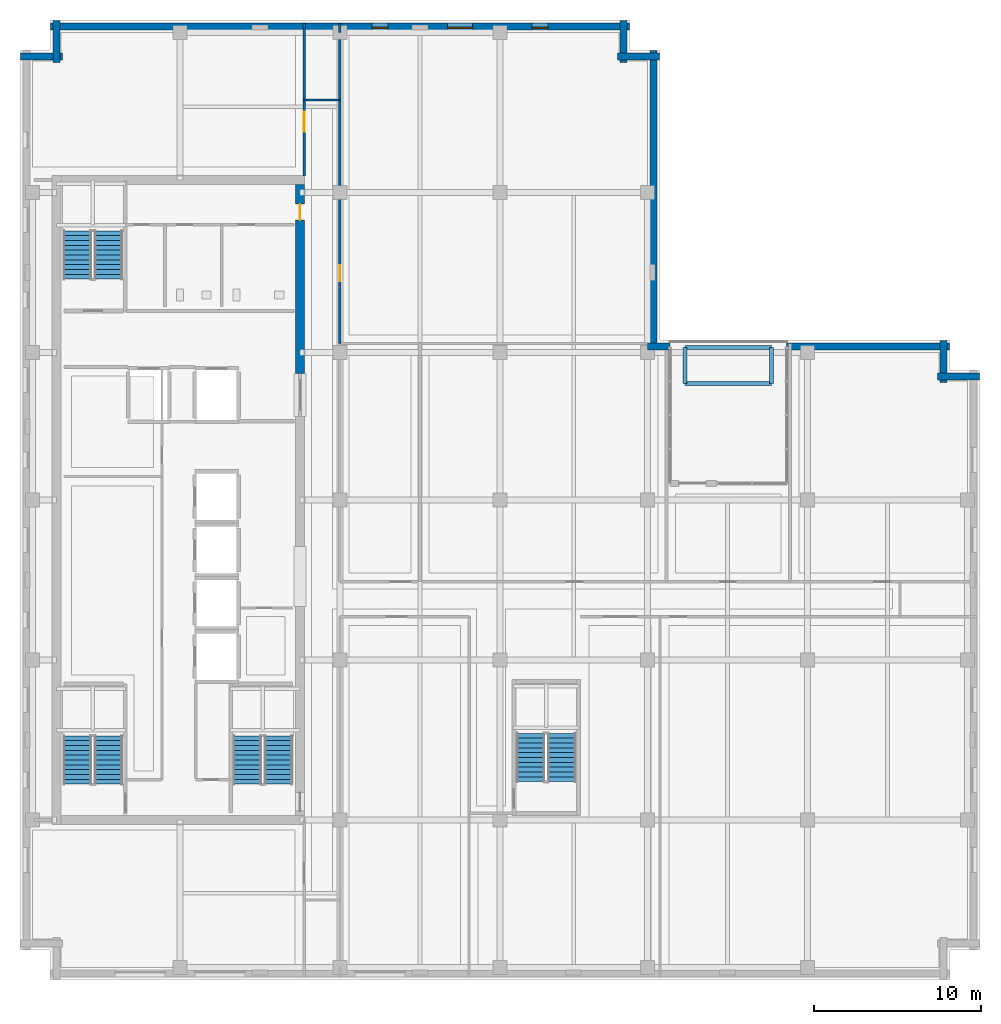
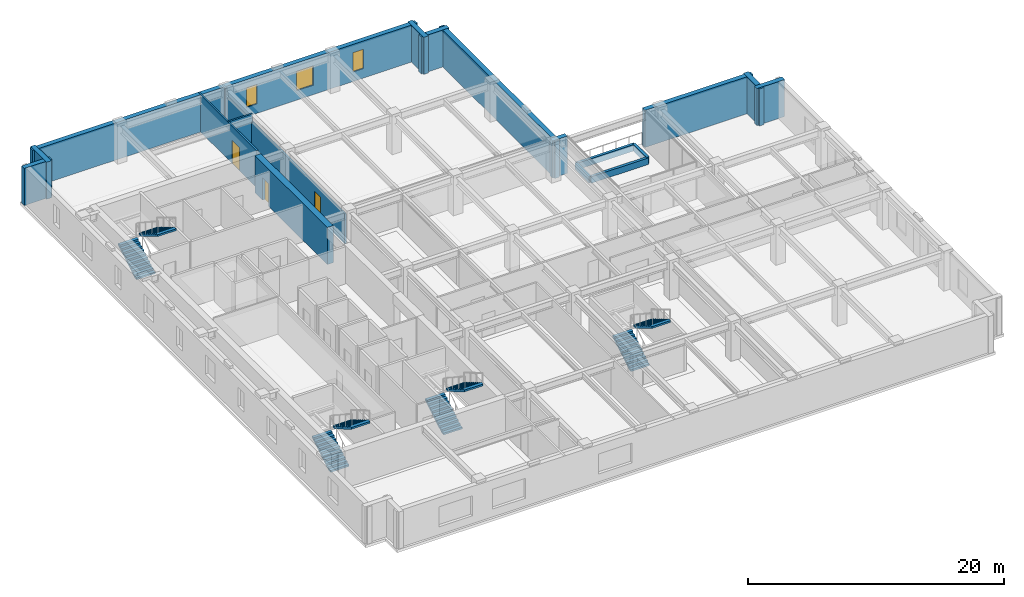
# One storey, part 6 of 14: 19 walls, 8 stair flights, 3 doors, 3 windows, 6 openings, 4 elements without a shape of their own.
"""IFC4 building model written with IfcOpenShell, lengths in metres."""

from ifc_helpers import new_model, si_unit, direction, frame, frame_2d, origin, place, context, subcontext, project, spatial, polyline, rectangle, outline, extrude, material, layer, layer_set, type_object, element, fill, aggregate, save


model = new_model("IFC4")

# Units and contexts
model_context = context("Model", 3, precision=1e-05, world=origin(), true_north=direction((0.0, 1.0)))
body_context = subcontext(model_context, "Body", "Model", "MODEL_VIEW")
ifc_project = project(units=[si_unit("LENGTHUNIT", "METRE"), si_unit("AREAUNIT", "SQUARE_METRE"), si_unit("VOLUMEUNIT", "CUBIC_METRE"), si_unit("PLANEANGLEUNIT", "RADIAN"), si_unit("MASSUNIT", "GRAM", prefix="KILO")], contexts=[model_context])

# Site, building, storey
site_placement = place(None, origin())
site = spatial("IfcSite", under=ifc_project, at=site_placement, CompositionType="ELEMENT")
building_placement = place(site_placement, origin())
building = spatial("IfcBuilding", under=site, at=building_placement, Name="Norrvale University Quadrangle", CompositionType="ELEMENT")
storey_placement = place(building_placement, frame((0.0, 0.0, 221.800048828125)))
storey = spatial("IfcBuildingStorey", under=building, at=storey_placement, Name="L56", CompositionType="ELEMENT", Elevation=221.800048828125)

# Walls
ifc_material_1 = material(Name="Buff Norman Clay Brick Masonry", Category="masonry")
ifc_layer_1 = layer(ifc_material_1, 0.419921875, Name="Buff Norman Clay Brick Masonry")
ifc_layer_set_1 = layer_set([ifc_layer_1], Name="Buff Norman Clay Brick Masonry")
wall_type_1 = type_object("IfcWallType", Name="Wall Buff Brick 420", PredefinedType="SOLIDWALL", material=ifc_layer_set_1)
for number, where, z_axis, x_axis, name in (
    (1, (57.56005859375, 36.2099609375, 0.0), (0.0, 0.0, 1.0), (-1.0, 0.0, 0.0), "Exterior Brick Facade Wall L56-05.1"),
    (2, (55.409912109375, 35.860107421875, 0.0), (0.0, 0.0, 1.0), (0.0, 1.0, 0.0), "Exterior Brick Facade Wall L56-06.1"),
):
    element("IfcWall", number, at=place(storey_placement, frame(where, z_axis=z_axis, x_axis=x_axis)), inside=storey, type_object=wall_type_1, Name=name, PredefinedType="SOLIDWALL", context=body_context, shape_type="SweptSolid", body=[
        extrude(rectangle(XDim=2.5, YDim=0.419921875, at=frame_2d((1.25, 0.0))), origin(), (0.0, 0.0, 1.0), 3.5400390625),
    ])
wall_1_placement = place(storey_placement, frame((55.760009765625, 38.010009765625, 0.0), z_axis=(0.0, 0.0, 1.0), x_axis=(-1.0, 0.0, 0.0)))
element("IfcWall", 3, at=wall_1_placement, inside=storey, type_object=wall_type_1, Name="Exterior Brick Facade Wall L56-07.1", PredefinedType="SOLIDWALL", context=body_context, shape_type="SweptSolid", body=[
    extrude(rectangle(XDim=9.760009765625, YDim=0.419921875, at=frame_2d((4.8798828125, 0.0))), origin(), (0.0, 0.0, 1.0), 3.5400390625),
])
wall_2_placement = place(storey_placement, frame((39.0, 38.010009765625, 0.0), z_axis=(0.0, 0.0, 1.0), x_axis=(-1.0, 0.0, 0.0)))
element("IfcWall", 4, at=wall_2_placement, inside=storey, type_object=wall_type_1, Name="Exterior Brick Facade Wall L56-07.2", PredefinedType="SOLIDWALL", context=body_context, shape_type="SweptSolid", body=[
    extrude(rectangle(XDim=1.340087890625, YDim=0.419921875, at=frame_2d((0.669921875, 0.0))), origin(), (0.0, 0.0, 1.0), 3.5400390625),
])
wall_3_placement = place(storey_placement, frame((38.010009765625, 37.659912109375, 0.0), z_axis=(0.0, 0.0, 1.0), x_axis=(0.0, 1.0, 0.0)))
element("IfcWall", 5, at=wall_3_placement, inside=storey, type_object=wall_type_1, Name="Exterior Brick Facade Wall L56-08.1", PredefinedType="SOLIDWALL", context=body_context, shape_type="SweptSolid", body=[
    extrude(rectangle(XDim=18.10009765625, YDim=0.419921875, at=frame_2d((9.050048828125, 0.0))), origin(), (0.0, 0.0, 1.0), 3.5400390625),
])
for number, where, z_axis, x_axis, name in (
    (6, (38.360107421875, 55.409912109375, 0.0), (0.0, 0.0, 1.0), (-1.0, 0.0, 0.0), "Exterior Brick Facade Wall L56-09.1"),
    (7, (36.2099609375, 55.06005859375, 0.0), (0.0, 0.0, 1.0), (0.0, 1.0, 0.0), "Exterior Brick Facade Wall L56-10.1"),
):
    element("IfcWall", number, at=place(storey_placement, frame(where, z_axis=z_axis, x_axis=x_axis)), inside=storey, type_object=wall_type_1, Name=name, PredefinedType="SOLIDWALL", context=body_context, shape_type="SweptSolid", body=[
        extrude(rectangle(XDim=2.5, YDim=0.419921875, at=frame_2d((1.25, 0.0))), origin(), (0.0, 0.0, 1.0), 3.5400390625),
    ])

# Wall, openings, windows
wall_4_placement = place(storey_placement, frame((36.56005859375, 57.2099609375, 0.0), z_axis=(0.0, 0.0, 1.0), x_axis=(-1.0, 0.0, 0.0)))
wall_4 = element("IfcWall", 8, at=wall_4_placement, inside=storey, type_object=wall_type_1, Name="Exterior Brick Facade Wall L56-11.1", PredefinedType="SOLIDWALL", context=body_context, shape_type="SweptSolid", body=[
    extrude(rectangle(XDim=34.719970703125, YDim=0.419921875, at=frame_2d((17.35986328125, 0.0))), origin(), (0.0, 0.0, 1.0), 3.5400390625),
])
opening_1_placement = place(wall_4_placement, frame((4.885009765625, 0.0, 0.89990234375)))
opening_1 = element("IfcOpeningElement", 9, at=opening_1_placement, cuts=wall_4, Name="Opening W04", PredefinedType="OPENING", context=body_context, shape_type="SweptSolid", body=[
    extrude(rectangle(XDim=0.949951171875, YDim=1.85009765625, at=frame_2d((0.47509765625, 0.925048828125))), frame((0.0, 0.221923828125, 0.0), z_axis=(0.0, -1.0, 0.0), x_axis=(1.0, 0.0, 0.0)), (0.0, 0.0, 1.0), 0.44384765625),
])
opening_2_placement = place(wall_4_placement, frame((9.409912109375, 0.0, 0.89990234375)))
opening_2 = element("IfcOpeningElement", 10, at=opening_2_placement, cuts=wall_4, Name="Opening W03", PredefinedType="OPENING", context=body_context, shape_type="SweptSolid", body=[
    extrude(rectangle(XDim=1.5, YDim=1.85009765625, at=frame_2d((0.75, 0.925048828125))), frame((0.0, 0.221923828125, 0.0), z_axis=(0.0, -1.0, 0.0), x_axis=(1.0, 0.0, 0.0)), (0.0, 0.0, 1.0), 0.44384765625),
])
opening_3_placement = place(wall_4_placement, frame((14.485107421875, 0.0, 0.89990234375)))
opening_3 = element("IfcOpeningElement", 11, at=opening_3_placement, cuts=wall_4, Name="Opening W04", PredefinedType="OPENING", context=body_context, shape_type="SweptSolid", body=[
    extrude(rectangle(XDim=0.949951171875, YDim=1.85009765625, at=frame_2d((0.47509765625, 0.925048828125))), frame((0.0, 0.221923828125, 0.0), z_axis=(0.0, -1.0, 0.0), x_axis=(1.0, 0.0, 0.0)), (0.0, 0.0, 1.0), 0.44384765625),
])
ifc_material_2 = material(Name="Triple Low-E Argon Glazing", Category="glass")
window_type_1 = type_object("IfcWindowType", Name="Window Narrow Pier 950x2300", PartitioningType="SINGLE_PANEL", PredefinedType="WINDOW", material=ifc_material_2)
window_1_placement = place(opening_1_placement, origin())
window_1 = element("IfcWindow", 12, at=window_1_placement, inside=storey, type_object=window_type_1, Name="Window Narrow Pier 950x2300 WIN-L56-E11-1-01", OverallHeight=1.85009765625, OverallWidth=0.949951171875, PartitioningType="SINGLE_PANEL", PredefinedType="WINDOW", context=body_context, shape_type="SweptSolid", body=[
    extrude(rectangle(XDim=0.949951171875, YDim=1.85009765625, at=frame_2d((0.47509765625, 0.925048828125))), frame((0.0, 0.110107421875, 0.0), z_axis=(0.0, -1.0, 0.0), x_axis=(1.0, 0.0, 0.0)), (0.0, 0.0, 1.0), 0.06005859375),
])
fill(opening_1, window_1)
window_2_placement = place(opening_3_placement, origin())
window_2 = element("IfcWindow", 13, at=window_2_placement, inside=storey, type_object=window_type_1, Name="Window Narrow Pier 950x2300 WIN-L56-E11-1-03", OverallHeight=1.85009765625, OverallWidth=0.949951171875, PartitioningType="SINGLE_PANEL", PredefinedType="WINDOW", context=body_context, shape_type="SweptSolid", body=[
    extrude(rectangle(XDim=0.949951171875, YDim=1.85009765625, at=frame_2d((0.47509765625, 0.925048828125))), frame((0.0, 0.110107421875, 0.0), z_axis=(0.0, -1.0, 0.0), x_axis=(1.0, 0.0, 0.0)), (0.0, 0.0, 1.0), 0.06005859375),
])
fill(opening_3, window_2)
window_type_2 = type_object("IfcWindowType", Name="Window Studio 1500x2300", PartitioningType="DOUBLE_PANEL_VERTICAL", PredefinedType="WINDOW", material=ifc_material_2)
window_3_placement = place(opening_2_placement, origin())
window_3 = element("IfcWindow", 14, at=window_3_placement, inside=storey, type_object=window_type_2, Name="Window Studio 1500x2300 WIN-L56-E11-1-02", OverallHeight=1.85009765625, OverallWidth=1.5, PartitioningType="DOUBLE_PANEL_VERTICAL", PredefinedType="WINDOW", context=body_context, shape_type="SweptSolid", body=[
    extrude(rectangle(XDim=1.5, YDim=1.85009765625, at=frame_2d((0.75, 0.925048828125))), frame((0.0, 0.110107421875, 0.0), z_axis=(0.0, -1.0, 0.0), x_axis=(1.0, 0.0, 0.0)), (0.0, 0.0, 1.0), 0.06005859375),
])
fill(opening_2, window_3)

# Walls
for number, where, z_axis, x_axis, name in (
    (15, (2.18994140625, 57.56005859375, 0.0), (0.0, 0.0, 1.0), (0.0, -1.0, 0.0), "Exterior Brick Facade Wall L56-12.1"),
    (16, (2.5400390625, 55.409912109375, 0.0), (0.0, 0.0, 1.0), (-1.0, 0.0, 0.0), "Exterior Brick Facade Wall L56-13.1"),
):
    element("IfcWall", number, at=place(storey_placement, frame(where, z_axis=z_axis, x_axis=x_axis)), inside=storey, type_object=wall_type_1, Name=name, PredefinedType="SOLIDWALL", context=body_context, shape_type="SweptSolid", body=[
        extrude(rectangle(XDim=2.5, YDim=0.419921875, at=frame_2d((1.25, 0.0))), origin(), (0.0, 0.0, 1.0), 3.5400390625),
    ])

# Wall, opening, door
ifc_material_3 = material(Name="Concrete C60/75", Category="concrete")
ifc_layer_2 = layer(ifc_material_3, 0.550048828125, Name="Concrete C60/75")
ifc_layer_set_2 = layer_set([ifc_layer_2], Name="Concrete C60/75")
wall_type_2 = type_object("IfcWallType", Name="Wall Core 550", PredefinedType="SHEAR", material=ifc_layer_set_2)
wall_5_placement = place(storey_placement, frame((16.800048828125, 36.39990234375, 0.0), z_axis=(0.0, 0.0, 1.0), x_axis=(0.0, 1.0, 0.0)))
wall_5 = element("IfcWall", 17, at=wall_5_placement, inside=storey, type_object=wall_type_2, Name="Tower Core Shear Wall L56-E3", PredefinedType="SHEAR", context=body_context, shape_type="SweptSolid", body=[
    extrude(rectangle(XDim=11.3251953125, YDim=0.550048828125, at=frame_2d((5.66259765625, 0.0))), origin(), (0.0, 0.0, 1.0), 3.5400390625),
])
opening_4_placement = place(wall_5_placement, frame((9.199951171875, 0.0, 0.0)))
opening_4 = element("IfcOpeningElement", 18, at=opening_4_placement, cuts=wall_5, Name="Opening D07", PredefinedType="OPENING", context=body_context, shape_type="SweptSolid", body=[
    extrude(rectangle(XDim=0.949951171875, YDim=2.14990234375, at=frame_2d((0.47509765625, 1.074951171875))), frame((0.0, 0.287109375, 0.0), z_axis=(0.0, -1.0, 0.0), x_axis=(1.0, 0.0, 0.0)), (0.0, 0.0, 1.0), 0.573974609375),
])
ifc_material_4 = material(Name="Solid-Core Maple Door", Category="wood")
door_type_1 = type_object("IfcDoorType", Name="Door Office 950x2150", OperationType="NOTDEFINED", PredefinedType="DOOR", material=ifc_material_4)
door_1_placement = place(opening_4_placement, origin())
door_1 = element("IfcDoor", 19, at=door_1_placement, inside=storey, type_object=door_type_1, Name="Door Office 950x2150 DR-L56-NECORR", OperationType="SINGLE_SWING_LEFT", OverallHeight=2.14990234375, OverallWidth=0.949951171875, PredefinedType="DOOR", context=body_context, shape_type="SweptSolid", body=[
    extrude(rectangle(XDim=0.949951171875, YDim=2.14990234375, at=frame_2d((0.47509765625, 1.074951171875))), frame((0.0, 0.02490234375, 0.0), z_axis=(0.0, -1.0, 0.0), x_axis=(1.0, 0.0, 0.0)), (0.0, 0.0, 1.0), 0.050048828125),
])
fill(opening_4, door_1)

# Wall
ifc_material_5 = material(Name="Fire-Rated Gypsum Stud Partition")
ifc_layer_3 = layer(ifc_material_5, 0.14990234375, Name="Fire-Rated Gypsum Stud Partition")
ifc_layer_set_3 = layer_set([ifc_layer_3], Name="Fire-Rated Gypsum Stud Partition")
wall_type_3 = type_object("IfcWallType", Name="Wall Gypsum Corridor 150", PredefinedType="PARTITIONING", material=ifc_layer_set_3)
wall_6_placement = place(storey_placement, frame((17.050048828125, 52.800048828125, 0.0), z_axis=(0.0, 0.0, 1.0), x_axis=(1.0, 0.0, 0.0)))
element("IfcWall", 20, at=wall_6_placement, inside=storey, type_object=wall_type_3, Name="Interior Partition WL-L56-CSP-N", PredefinedType="PARTITIONING", context=body_context, shape_type="SweptSolid", body=[
    extrude(rectangle(XDim=2.14990234375, YDim=0.14990234375, at=frame_2d((1.074951171875, 0.0))), origin(), (0.0, 0.0, 1.0), 3.5400390625),
])

# Wall, opening, door
wall_7_placement = place(storey_placement, frame((19.199951171875, 38.179931640625, 0.0), z_axis=(0.0, 0.0, 1.0), x_axis=(0.0, 1.0, 0.0)))
wall_7 = element("IfcWall", 21, at=wall_7_placement, inside=storey, type_object=wall_type_3, Name="Interior Partition WL-L56-NECW", PredefinedType="PARTITIONING", context=body_context, shape_type="SweptSolid", body=[
    extrude(rectangle(XDim=18.670166015625, YDim=0.14990234375, at=frame_2d((9.3349609375, 0.0))), origin(), (0.0, 0.0, 1.0), 2.844970703125),
])
opening_5_placement = place(wall_7_placement, frame((3.75, 0.0, 0.0)))
opening_5 = element("IfcOpeningElement", 22, at=opening_5_placement, cuts=wall_7, Name="Opening D07", PredefinedType="OPENING", context=body_context, shape_type="SweptSolid", body=[
    extrude(rectangle(XDim=0.949951171875, YDim=2.14990234375, at=frame_2d((0.47509765625, 1.074951171875))), frame((0.0, 0.0869140625, 0.0), z_axis=(0.0, -1.0, 0.0), x_axis=(1.0, 0.0, 0.0)), (0.0, 0.0, 1.0), 0.173828125),
])
door_2_placement = place(opening_5_placement, origin())
door_2 = element("IfcDoor", 23, at=door_2_placement, inside=storey, type_object=door_type_1, Name="Door Office 950x2150 DR-L56-NE01", OperationType="SINGLE_SWING_RIGHT", OverallHeight=2.14990234375, OverallWidth=0.949951171875, PredefinedType="DOOR", context=body_context, shape_type="SweptSolid", body=[
    extrude(rectangle(XDim=0.949951171875, YDim=2.14990234375, at=frame_2d((0.47509765625, 1.074951171875))), frame((0.0, 0.02490234375, 0.0), z_axis=(0.0, -1.0, 0.0), x_axis=(1.0, 0.0, 0.0)), (0.0, 0.0, 1.0), 0.050048828125),
])
fill(opening_5, door_2)

# Wall
wall_8_placement = place(storey_placement, frame((19.199951171875, 56.85009765625, 0.0), z_axis=(0.0, 0.0, 1.0), x_axis=(0.0, 1.0, 0.0)))
element("IfcWall", 24, at=wall_8_placement, inside=storey, type_object=wall_type_3, Name="Interior Partition WL-L56-NECW-B2", PredefinedType="PARTITIONING", context=body_context, shape_type="SweptSolid", body=[
    extrude(rectangle(XDim=0.52978515625, YDim=0.14990234375, at=frame_2d((0.264892578125, 0.0))), origin(), (0.0, 0.0, 1.0), 3.5400390625),
])

# Wall, opening, door
wall_9_placement = place(storey_placement, frame((17.050048828125, 48.25, 0.0), z_axis=(0.0, 0.0, 1.0), x_axis=(0.0, 1.0, 0.0)))
wall_9 = element("IfcWall", 25, at=wall_9_placement, inside=storey, type_object=wall_type_3, Name="Interior Partition WL-L56-NWCW", PredefinedType="PARTITIONING", context=body_context, shape_type="SweptSolid", body=[
    extrude(rectangle(XDim=9.1298828125, YDim=0.14990234375, at=frame_2d((4.56494140625, 0.0))), origin(), (0.0, 0.0, 1.0), 3.5400390625),
])
opening_6_placement = place(wall_9_placement, frame((2.64990234375, 0.0, 0.0)))
opening_6 = element("IfcOpeningElement", 26, at=opening_6_placement, cuts=wall_9, Name="Opening D05", PredefinedType="OPENING", context=body_context, shape_type="SweptSolid", body=[
    extrude(rectangle(XDim=1.199951171875, YDim=2.199951171875, at=frame_2d((0.60009765625, 1.10009765625))), frame((0.0, 0.0869140625, 0.0), z_axis=(0.0, -1.0, 0.0), x_axis=(1.0, 0.0, 0.0)), (0.0, 0.0, 1.0), 0.173828125),
])
ifc_material_6 = material(Name="Acoustic Oak Classroom Door", Category="wood")
door_type_2 = type_object("IfcDoorType", Name="Door Classroom 1200x2200", OperationType="NOTDEFINED", PredefinedType="DOOR", material=ifc_material_6)
door_3_placement = place(opening_6_placement, origin())
door_3 = element("IfcDoor", 27, at=door_3_placement, inside=storey, type_object=door_type_2, Name="Door Classroom 1200x2200 DR-L56-NW01", OperationType="SINGLE_SWING_RIGHT", OverallHeight=2.199951171875, OverallWidth=1.199951171875, PredefinedType="DOOR", context=body_context, shape_type="SweptSolid", body=[
    extrude(rectangle(XDim=1.199951171875, YDim=2.199951171875, at=frame_2d((0.60009765625, 1.10009765625))), frame((0.0, 0.02490234375, 0.0), z_axis=(0.0, -1.0, 0.0), x_axis=(1.0, 0.0, 0.0)), (0.0, 0.0, 1.0), 0.050048828125),
])
fill(opening_6, door_3)

# Walls
ifc_layer_4 = layer(ifc_material_1, 0.239990234375, Name="Buff Norman Clay Brick Masonry")
ifc_layer_set_4 = layer_set([ifc_layer_4], Name="Buff Norman Clay Brick Masonry")
wall_type_4 = type_object("IfcWallType", Name="Wall Planter 240", PredefinedType="USERDEFINED", material=ifc_layer_set_4)
for number, where, z_axis, x_axis, name in (
    (28, (39.89990234375, 35.800048828125, 0.0), (0.0, 0.0, 1.0), (0.0, 1.0, 0.0), "Sky Garden Planter Curb L56-W"),
    (29, (45.10009765625, 35.800048828125, 0.0), (0.0, 0.0, 1.0), (0.0, 1.0, 0.0), "Sky Garden Planter Curb L56-E"),
):
    element("IfcWall", number, at=place(storey_placement, frame(where, z_axis=z_axis, x_axis=x_axis)), inside=storey, type_object=wall_type_4, Name=name, ObjectType="PLANTER", PredefinedType="USERDEFINED", context=body_context, shape_type="SweptSolid", body=[
        extrude(rectangle(XDim=2.14990234375, YDim=0.239990234375, at=frame_2d((1.074951171875, 0.0))), origin(), (0.0, 0.0, 1.0), 0.619873046875),
    ])
for number, where, z_axis, x_axis, name in (
    (30, (39.89990234375, 35.800048828125, 0.0), (0.0, 0.0, 1.0), (1.0, 0.0, 0.0), "Sky Garden Planter Curb L56-S"),
    (31, (39.89990234375, 37.949951171875, 0.0), (0.0, 0.0, 1.0), (1.0, 0.0, 0.0), "Sky Garden Planter Curb L56-N"),
):
    element("IfcWall", number, at=place(storey_placement, frame(where, z_axis=z_axis, x_axis=x_axis)), inside=storey, type_object=wall_type_4, Name=name, ObjectType="PLANTER", PredefinedType="USERDEFINED", context=body_context, shape_type="SweptSolid", body=[
        extrude(rectangle(XDim=5.2001953125, YDim=0.239990234375, at=frame_2d((2.60009765625, 0.0))), origin(), (0.0, 0.0, 1.0), 0.619873046875),
    ])

# Stair, stair flights
ifc_material_7 = material(Name="Concrete C40/50", Category="concrete")
stair_type = type_object("IfcStairType", Name="Stair Tower Typ 3800", PredefinedType="TWO_STRAIGHT_RUN_STAIR", material=ifc_material_7)
stair_1_placement = place(storey_placement, origin())
stair_1 = element("IfcStair", 32, at=stair_1_placement, inside=storey, type_object=stair_type, Name="Exit Stair ST-01 L56", PredefinedType="TWO_STRAIGHT_RUN_STAIR")
stair_flight_type = type_object("IfcStairFlightType", Name="Flight Typ 1500", PredefinedType="STRAIGHT", material=ifc_material_7)
stair_flight_1_placement = place(storey_placement, frame((3.429931640625, 11.75, 0.0), z_axis=(0.0, 0.0, 1.0), x_axis=(0.0, 1.0, 0.0)))
stair_flight_1 = element("IfcStairFlight", 33, at=stair_flight_1_placement, type_object=stair_flight_type, Name="Exit Stair ST-01 L56 Lower Flight", NumberOfRisers=11, NumberOfTreads=10, PredefinedType="STRAIGHT", RiserHeight=0.172727, TreadLength=0.29, context=body_context, shape_type="SweptSolid", body=[
    extrude(outline(polyline([(0.0, 0.0), (0.0, 0.172607421875), (0.2900390625, 0.172607421875), (0.2900390625, 0.345458984375), (0.580078125, 0.345458984375), (0.580078125, 0.51806640625), (0.8701171875, 0.51806640625), (0.8701171875, 0.69091796875), (1.159912109375, 0.69091796875), (1.159912109375, 0.863525390625), (1.449951171875, 0.863525390625), (1.449951171875, 1.036376953125), (1.739990234375, 1.036376953125), (1.739990234375, 1.208984375), (2.030029296875, 1.208984375), (2.030029296875, 1.3818359375), (2.320068359375, 1.3818359375), (2.320068359375, 1.554443359375), (2.610107421875, 1.554443359375), (2.610107421875, 1.727294921875), (2.89990234375, 1.727294921875), (2.89990234375, 1.89990234375), (2.89990234375, 1.552734375), (0.29296875, 0.0), (0.0, 0.0)])), frame((0.0, 0.83984375, 0.0), z_axis=(0.0, -1.0, 0.0), x_axis=(1.0, 0.0, 0.0)), (0.0, 0.0, 1.0), 1.679931640625),
])
stair_flight_2_placement = place(storey_placement, frame((5.320068359375, 14.64990234375, 1.89990234375), z_axis=(0.0, 0.0, 1.0), x_axis=(0.0, -1.0, 0.0)))
stair_flight_2 = element("IfcStairFlight", 34, at=stair_flight_2_placement, type_object=stair_flight_type, Name="Exit Stair ST-01 L56 Upper Flight", NumberOfRisers=11, NumberOfTreads=10, PredefinedType="STRAIGHT", RiserHeight=0.172727, TreadLength=0.29, context=body_context, shape_type="SweptSolid", body=[
    extrude(outline(polyline([(0.0, 0.0), (0.0, 0.172607421875), (0.2900390625, 0.172607421875), (0.2900390625, 0.345458984375), (0.580078125, 0.345458984375), (0.580078125, 0.51806640625), (0.8701171875, 0.51806640625), (0.8701171875, 0.69091796875), (1.159912109375, 0.69091796875), (1.159912109375, 0.863525390625), (1.449951171875, 0.863525390625), (1.449951171875, 1.036376953125), (1.739990234375, 1.036376953125), (1.739990234375, 1.208984375), (2.030029296875, 1.208984375), (2.030029296875, 1.3818359375), (2.320068359375, 1.3818359375), (2.320068359375, 1.554443359375), (2.610107421875, 1.554443359375), (2.610107421875, 1.727294921875), (2.89990234375, 1.727294921875), (2.89990234375, 1.89990234375), (2.89990234375, 1.552734375), (0.29296875, 0.0), (0.0, 0.0)])), frame((0.0, 0.83984375, 0.0), z_axis=(0.0, -1.0, 0.0), x_axis=(1.0, 0.0, 0.0)), (0.0, 0.0, 1.0), 1.679931640625),
])
aggregate(stair_1, [stair_flight_1, stair_flight_2])

stair_2_placement = place(storey_placement, origin())
stair_2 = element("IfcStair", 35, at=stair_2_placement, inside=storey, type_object=stair_type, Name="Exit Stair ST-02 L56", PredefinedType="TWO_STRAIGHT_RUN_STAIR")
stair_flight_3_placement = place(storey_placement, frame((3.429931640625, 42.050048828125, 0.0), z_axis=(0.0, 0.0, 1.0), x_axis=(0.0, 1.0, 0.0)))
stair_flight_3 = element("IfcStairFlight", 36, at=stair_flight_3_placement, type_object=stair_flight_type, Name="Exit Stair ST-02 L56 Lower Flight", NumberOfRisers=11, NumberOfTreads=10, PredefinedType="STRAIGHT", RiserHeight=0.172727, TreadLength=0.29, context=body_context, shape_type="SweptSolid", body=[
    extrude(outline(polyline([(0.0, 0.0), (0.0, 0.172607421875), (0.2900390625, 0.172607421875), (0.2900390625, 0.345458984375), (0.580078125, 0.345458984375), (0.580078125, 0.51806640625), (0.8701171875, 0.51806640625), (0.8701171875, 0.69091796875), (1.159912109375, 0.69091796875), (1.159912109375, 0.863525390625), (1.449951171875, 0.863525390625), (1.449951171875, 1.036376953125), (1.739990234375, 1.036376953125), (1.739990234375, 1.208984375), (2.030029296875, 1.208984375), (2.030029296875, 1.3818359375), (2.320068359375, 1.3818359375), (2.320068359375, 1.554443359375), (2.610107421875, 1.554443359375), (2.610107421875, 1.727294921875), (2.89990234375, 1.727294921875), (2.89990234375, 1.89990234375), (2.89990234375, 1.552734375), (0.29296875, 0.0), (0.0, 0.0)])), frame((0.0, 0.83984375, 0.0), z_axis=(0.0, -1.0, 0.0), x_axis=(1.0, 0.0, 0.0)), (0.0, 0.0, 1.0), 1.679931640625),
])
stair_flight_4_placement = place(storey_placement, frame((5.320068359375, 44.949951171875, 1.89990234375), z_axis=(0.0, 0.0, 1.0), x_axis=(0.0, -1.0, 0.0)))
stair_flight_4 = element("IfcStairFlight", 37, at=stair_flight_4_placement, type_object=stair_flight_type, Name="Exit Stair ST-02 L56 Upper Flight", NumberOfRisers=11, NumberOfTreads=10, PredefinedType="STRAIGHT", RiserHeight=0.172727, TreadLength=0.29, context=body_context, shape_type="SweptSolid", body=[
    extrude(outline(polyline([(0.0, 0.0), (0.0, 0.172607421875), (0.2900390625, 0.172607421875), (0.2900390625, 0.345458984375), (0.580078125, 0.345458984375), (0.580078125, 0.51806640625), (0.8701171875, 0.51806640625), (0.8701171875, 0.69091796875), (1.159912109375, 0.69091796875), (1.159912109375, 0.863525390625), (1.449951171875, 0.863525390625), (1.449951171875, 1.036376953125), (1.739990234375, 1.036376953125), (1.739990234375, 1.208984375), (2.030029296875, 1.208984375), (2.030029296875, 1.3818359375), (2.320068359375, 1.3818359375), (2.320068359375, 1.554443359375), (2.610107421875, 1.554443359375), (2.610107421875, 1.727294921875), (2.89990234375, 1.727294921875), (2.89990234375, 1.89990234375), (2.89990234375, 1.552734375), (0.29296875, 0.0), (0.0, 0.0)])), frame((0.0, 0.83984375, 0.0), z_axis=(0.0, -1.0, 0.0), x_axis=(1.0, 0.0, 0.0)), (0.0, 0.0, 1.0), 1.679931640625),
])
aggregate(stair_2, [stair_flight_3, stair_flight_4])

stair_3_placement = place(storey_placement, origin())
stair_3 = element("IfcStair", 38, at=stair_3_placement, inside=storey, type_object=stair_type, Name="Exit Stair ST-03 L56", PredefinedType="TWO_STRAIGHT_RUN_STAIR")
stair_flight_5_placement = place(storey_placement, frame((13.6298828125, 11.75, 0.0), z_axis=(0.0, 0.0, 1.0), x_axis=(0.0, 1.0, 0.0)))
stair_flight_5 = element("IfcStairFlight", 39, at=stair_flight_5_placement, type_object=stair_flight_type, Name="Exit Stair ST-03 L56 Lower Flight", NumberOfRisers=11, NumberOfTreads=10, PredefinedType="STRAIGHT", RiserHeight=0.172727, TreadLength=0.29, context=body_context, shape_type="SweptSolid", body=[
    extrude(outline(polyline([(0.0, 0.0), (0.0, 0.172607421875), (0.2900390625, 0.172607421875), (0.2900390625, 0.345458984375), (0.580078125, 0.345458984375), (0.580078125, 0.51806640625), (0.8701171875, 0.51806640625), (0.8701171875, 0.69091796875), (1.159912109375, 0.69091796875), (1.159912109375, 0.863525390625), (1.449951171875, 0.863525390625), (1.449951171875, 1.036376953125), (1.739990234375, 1.036376953125), (1.739990234375, 1.208984375), (2.030029296875, 1.208984375), (2.030029296875, 1.3818359375), (2.320068359375, 1.3818359375), (2.320068359375, 1.554443359375), (2.610107421875, 1.554443359375), (2.610107421875, 1.727294921875), (2.89990234375, 1.727294921875), (2.89990234375, 1.89990234375), (2.89990234375, 1.552734375), (0.29296875, 0.0), (0.0, 0.0)])), frame((0.0, 0.83984375, 0.0), z_axis=(0.0, -1.0, 0.0), x_axis=(1.0, 0.0, 0.0)), (0.0, 0.0, 1.0), 1.679931640625),
])
stair_flight_6_placement = place(storey_placement, frame((15.52001953125, 14.64990234375, 1.89990234375), z_axis=(0.0, 0.0, 1.0), x_axis=(0.0, -1.0, 0.0)))
stair_flight_6 = element("IfcStairFlight", 40, at=stair_flight_6_placement, type_object=stair_flight_type, Name="Exit Stair ST-03 L56 Upper Flight", NumberOfRisers=11, NumberOfTreads=10, PredefinedType="STRAIGHT", RiserHeight=0.172727, TreadLength=0.29, context=body_context, shape_type="SweptSolid", body=[
    extrude(outline(polyline([(0.0, 0.0), (0.0, 0.172607421875), (0.2900390625, 0.172607421875), (0.2900390625, 0.345458984375), (0.580078125, 0.345458984375), (0.580078125, 0.51806640625), (0.8701171875, 0.51806640625), (0.8701171875, 0.69091796875), (1.159912109375, 0.69091796875), (1.159912109375, 0.863525390625), (1.449951171875, 0.863525390625), (1.449951171875, 1.036376953125), (1.739990234375, 1.036376953125), (1.739990234375, 1.208984375), (2.030029296875, 1.208984375), (2.030029296875, 1.3818359375), (2.320068359375, 1.3818359375), (2.320068359375, 1.554443359375), (2.610107421875, 1.554443359375), (2.610107421875, 1.727294921875), (2.89990234375, 1.727294921875), (2.89990234375, 1.89990234375), (2.89990234375, 1.552734375), (0.29296875, 0.0), (0.0, 0.0)])), frame((0.0, 0.83984375, 0.0), z_axis=(0.0, -1.0, 0.0), x_axis=(1.0, 0.0, 0.0)), (0.0, 0.0, 1.0), 1.679931640625),
])
aggregate(stair_3, [stair_flight_5, stair_flight_6])

stair_4_placement = place(storey_placement, origin())
stair_4 = element("IfcStair", 41, at=stair_4_placement, inside=storey, type_object=stair_type, Name="Exit Stair ST-04 L56", PredefinedType="TWO_STRAIGHT_RUN_STAIR")
stair_flight_7_placement = place(storey_placement, frame((30.6298828125, 11.89990234375, 0.0), z_axis=(0.0, 0.0, 1.0), x_axis=(0.0, 1.0, 0.0)))
stair_flight_7 = element("IfcStairFlight", 42, at=stair_flight_7_placement, type_object=stair_flight_type, Name="Exit Stair ST-04 L56 Lower Flight", NumberOfRisers=11, NumberOfTreads=10, PredefinedType="STRAIGHT", RiserHeight=0.172727, TreadLength=0.29, context=body_context, shape_type="SweptSolid", body=[
    extrude(outline(polyline([(0.0, 0.0), (0.0, 0.172607421875), (0.2900390625, 0.172607421875), (0.2900390625, 0.345458984375), (0.580078125, 0.345458984375), (0.580078125, 0.51806640625), (0.8701171875, 0.51806640625), (0.8701171875, 0.69091796875), (1.159912109375, 0.69091796875), (1.159912109375, 0.863525390625), (1.449951171875, 0.863525390625), (1.449951171875, 1.036376953125), (1.739990234375, 1.036376953125), (1.739990234375, 1.208984375), (2.030029296875, 1.208984375), (2.030029296875, 1.3818359375), (2.320068359375, 1.3818359375), (2.320068359375, 1.554443359375), (2.610107421875, 1.554443359375), (2.610107421875, 1.727294921875), (2.89990234375, 1.727294921875), (2.89990234375, 1.89990234375), (2.89990234375, 1.552734375), (0.29296875, 0.0), (0.0, 0.0)])), frame((0.0, 0.83984375, 0.0), z_axis=(0.0, -1.0, 0.0), x_axis=(1.0, 0.0, 0.0)), (0.0, 0.0, 1.0), 1.679931640625),
])
stair_flight_8_placement = place(storey_placement, frame((32.52001953125, 14.800048828125, 1.89990234375), z_axis=(0.0, 0.0, 1.0), x_axis=(0.0, -1.0, 0.0)))
stair_flight_8 = element("IfcStairFlight", 43, at=stair_flight_8_placement, type_object=stair_flight_type, Name="Exit Stair ST-04 L56 Upper Flight", NumberOfRisers=11, NumberOfTreads=10, PredefinedType="STRAIGHT", RiserHeight=0.172727, TreadLength=0.29, context=body_context, shape_type="SweptSolid", body=[
    extrude(outline(polyline([(0.0, 0.0), (0.0, 0.172607421875), (0.2900390625, 0.172607421875), (0.2900390625, 0.345458984375), (0.580078125, 0.345458984375), (0.580078125, 0.51806640625), (0.8701171875, 0.51806640625), (0.8701171875, 0.69091796875), (1.159912109375, 0.69091796875), (1.159912109375, 0.863525390625), (1.449951171875, 0.863525390625), (1.449951171875, 1.036376953125), (1.739990234375, 1.036376953125), (1.739990234375, 1.208984375), (2.030029296875, 1.208984375), (2.030029296875, 1.3818359375), (2.320068359375, 1.3818359375), (2.320068359375, 1.554443359375), (2.610107421875, 1.554443359375), (2.610107421875, 1.727294921875), (2.89990234375, 1.727294921875), (2.89990234375, 1.89990234375), (2.89990234375, 1.552734375), (0.29296875, 0.0), (0.0, 0.0)])), frame((0.0, 0.83984375, 0.0), z_axis=(0.0, -1.0, 0.0), x_axis=(1.0, 0.0, 0.0)), (0.0, 0.0, 1.0), 1.679931640625),
])
aggregate(stair_4, [stair_flight_7, stair_flight_8])

save(model, "model.ifc")
